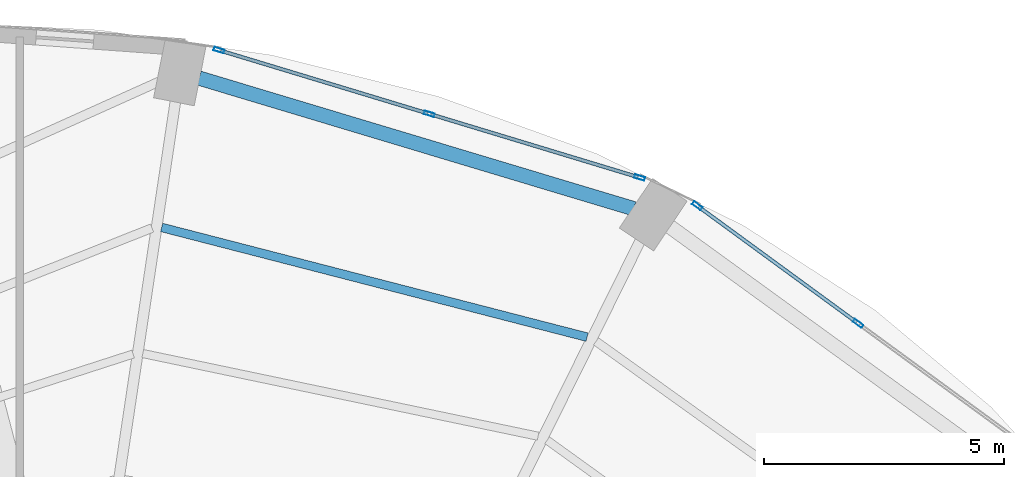
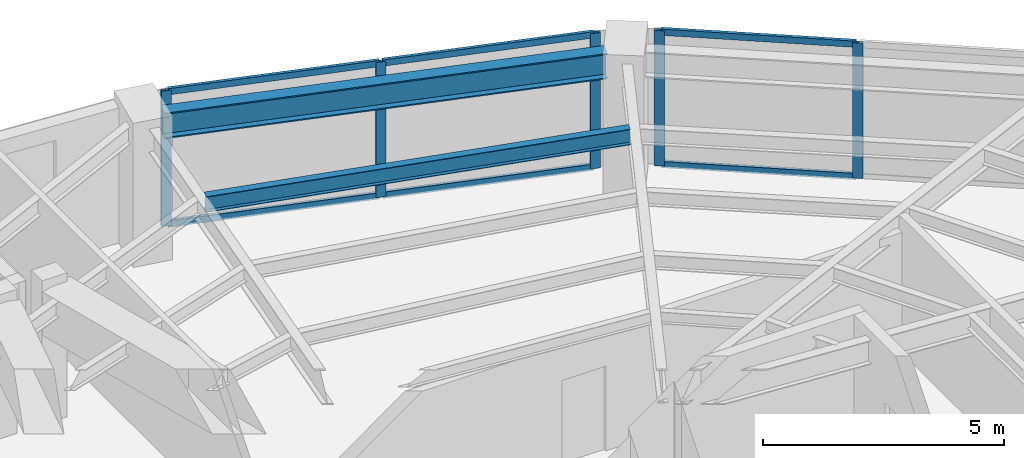
# One storey, part 17 of 24: 11 members, 2 beams, 2 elements without a shape of their own.
"""IFC4 building model written with IfcOpenShell, lengths in metres."""

import ifcopenshell
import ifcopenshell.guid

model = None  # the IFC model being written
_history = None  # IfcOwnerHistory: only IFC2X3 demands one
_inside = {}  # id of a spatial element -> (the spatial element, [elements in it])
_under = {}  # id of a project, library or spatial element -> (it, [spatial elements below it])
_declared = {}  # id of a project -> (the project, [libraries it declares])
_typed = {}  # id of a type object -> (the type object, [elements of that type])
_made_of = {}  # id of a material, layer set ... -> (it, [elements and type objects made of it])


def new_model(schema):
    """Start an empty IFC model of exactly this schema.

    Asked for "IFC4X3", IfcOpenShell would pick the latest addendum, in which some entities
    have other attributes; the version numbers below select the first issue.
    IFC2X3 requires an IfcOwnerHistory on every rooted entity: one is made here for all.
    """
    global model, _history
    if schema == "IFC4X3":
        model = ifcopenshell.file(schema_version=(4, 3, 0, 0))
    else:
        model = ifcopenshell.file(schema=schema)
    _inside.clear()
    _under.clear()
    _declared.clear()
    _typed.clear()
    _made_of.clear()
    _history = None
    if model.schema == "IFC2X3":
        org = make("IfcOrganization", Name="unknown")
        user = make(
            "IfcPersonAndOrganization",
            ThePerson=make("IfcPerson", FamilyName="unknown"),
            TheOrganization=org,
        )
        app = make(
            "IfcApplication",
            ApplicationDeveloper=org,
            Version="unknown",
            ApplicationFullName="unknown",
            ApplicationIdentifier="unknown",
        )
        _history = make(
            "IfcOwnerHistory",
            OwningUser=user,
            OwningApplication=app,
            ChangeAction="ADDED",
            CreationDate=0,
        )
    return model


def make(cls, **values):
    """One entity of the class cls with the attributes given. An attribute that is None is left unset."""
    return model.create_entity(
        cls, **{name: value for name, value in values.items() if value is not None}
    )


def rooted(cls, **values):
    """An entity with a GlobalId (a new one), such as an element, a storey or a relation."""
    return make(cls, GlobalId=ifcopenshell.guid.new(), OwnerHistory=_history, **values)


def si_unit(unit_type, name, prefix=None):
    """IfcSIUnit, for example si_unit("LENGTHUNIT", "METRE", prefix="MILLI")."""
    return make("IfcSIUnit", UnitType=unit_type, Prefix=prefix, Name=name)


def assignment(units):
    """IfcUnitAssignment: the units of a project."""
    return None if units is None else make("IfcUnitAssignment", Units=units)


def point(xyz):
    """IfcCartesianPoint."""
    return None if xyz is None else make("IfcCartesianPoint", Coordinates=xyz)


def direction(xyz):
    """IfcDirection."""
    return None if xyz is None else make("IfcDirection", DirectionRatios=xyz)


def frame(location, z_axis=None, x_axis=None):
    """IfcAxis2Placement3D, a coordinate frame: its origin and axes. An axis left out is left unset."""
    return make(
        "IfcAxis2Placement3D",
        Location=point(location),
        Axis=direction(z_axis),
        RefDirection=direction(x_axis),
    )


def frame_2d(location, x_axis=None):
    """IfcAxis2Placement2D, a coordinate frame in the plane: its origin and x axis."""
    return make(
        "IfcAxis2Placement2D", Location=point(location), RefDirection=direction(x_axis)
    )


def origin():
    """The frame at (0, 0, 0) with its axes left unset."""
    return frame((0.0, 0.0, 0.0))


def origin_2d():
    """The frame at (0, 0) in the plane with its x axis left unset."""
    return frame_2d((0.0, 0.0))


def place(relative_to, where):
    """IfcLocalPlacement: puts the frame where relative to a parent placement (None: the world)."""
    return make(
        "IfcLocalPlacement", PlacementRelTo=relative_to, RelativePlacement=where
    )


def context(
    kind, dimensions, precision=None, world=None, true_north=None, identifier=None
):
    """IfcGeometricRepresentationContext, for example the 3D "Model" context."""
    return make(
        "IfcGeometricRepresentationContext",
        ContextIdentifier=identifier,
        ContextType=kind,
        CoordinateSpaceDimension=dimensions,
        Precision=precision,
        WorldCoordinateSystem=world,
        TrueNorth=true_north,
    )


def subcontext(parent, identifier, kind, view, scale=None):
    """IfcGeometricRepresentationSubContext, for example "Body" below "Model"."""
    return make(
        "IfcGeometricRepresentationSubContext",
        ContextIdentifier=identifier,
        ContextType=kind,
        ParentContext=parent,
        TargetScale=scale,
        TargetView=view,
    )


def project(units=None, contexts=None):
    """IfcProject with its units and contexts."""
    return rooted(
        "IfcProject",
        Name="project",
        RepresentationContexts=contexts,
        UnitsInContext=assignment(units),
    )


def spatial(cls, under=None, at=None, **own):
    """A site, building, storey or space (cls), placed at a placement, below another one or the project."""
    s = rooted(cls, ObjectPlacement=at, **own)
    if under is not None:
        _under.setdefault(under.id(), (under, []))[1].append(s)
    return s


def profile(cls, at=None, kind="AREA", **sizes):
    """A parametric profile (cls). Its sizes go by their IFC names, for example OverallWidth=200.0."""
    return make(cls, ProfileType=kind, Position=at, **sizes)


def hollow_rectangle(**sizes):
    """IfcRectangleHollowProfileDef."""
    return profile("IfcRectangleHollowProfileDef", **sizes)


def i_section(**sizes):
    """IfcIShapeProfileDef."""
    return profile("IfcIShapeProfileDef", **sizes)


def extrude(swept, where, along, depth):
    """IfcExtrudedAreaSolid: the profile swept, set in the frame where, extruded along a direction by depth."""
    return make(
        "IfcExtrudedAreaSolid",
        SweptArea=swept,
        Position=where,
        ExtrudedDirection=direction(along),
        Depth=depth,
    )


def shape(context_of_items, identifier, shape_type, items):
    """IfcShapeRepresentation: the items that make up one representation, for example the "Body"."""
    return make(
        "IfcShapeRepresentation",
        ContextOfItems=context_of_items,
        RepresentationIdentifier=identifier,
        RepresentationType=shape_type,
        Items=items,
    )


def material(Name=None, Category=None):
    """IfcMaterial."""
    return make("IfcMaterial", Name=Name, Category=Category)


def layer(
    of_material, thickness, ventilated=None, Name=None, Category=None, Priority=None
):
    """IfcMaterialLayer: one layer of a wall or slab, of a material (None: an air gap)."""
    return make(
        "IfcMaterialLayer",
        Material=of_material,
        LayerThickness=thickness,
        IsVentilated=ventilated,
        Name=Name,
        Category=Category,
        Priority=Priority,
    )


def layer_set(layers, Name=None):
    """IfcMaterialLayerSet."""
    return make("IfcMaterialLayerSet", MaterialLayers=layers, LayerSetName=Name)


def material_profile(
    of_material, cross_section, Name=None, Category=None, Priority=None
):
    """IfcMaterialProfile: a cross section and its material."""
    return make(
        "IfcMaterialProfile",
        Name=Name,
        Material=of_material,
        Profile=cross_section,
        Priority=Priority,
        Category=Category,
    )


def profile_set(profiles, Name=None, composite=None):
    """IfcMaterialProfileSet."""
    return make(
        "IfcMaterialProfileSet",
        Name=Name,
        MaterialProfiles=profiles,
        CompositeProfile=composite,
    )


def made_of(thing, what):
    """Note that an element or type object is made of a material, layer set ...; save() writes the relation."""
    if what is not None:
        _made_of.setdefault(what.id(), (what, []))[1].append(thing)
    return thing


def type_object(cls, material=None, **own):
    """A type object (cls), such as IfcWallType, which elements share."""
    return made_of(rooted(cls, **own), material)


def element(
    cls,
    number,
    at=None,
    inside=None,
    cuts=None,
    type_object=None,
    material=None,
    context=None,
    identifier="Body",
    shape_type=None,
    held_by="IfcProductDefinitionShape",
    body=None,
    shapes=None,
    **own,
):
    """One element of the class cls, such as IfcWall. Its Tag is "e" and its number.

    at: its placement. inside: the storey or other place that contains it. cuts: it is an
    opening in that element (IfcRelVoidsElement). A single representation is given by context,
    identifier, shape_type and body (its items); several are given by shapes. held_by: the class
    of the entity that holds the representations. save() writes the other relations.
    """
    e = rooted(cls, Tag="e%d" % number, ObjectPlacement=at, **own)
    if body is not None:
        shapes = [shape(context, identifier, shape_type, body)]
    if shapes is not None:
        e.Representation = make(held_by, Representations=shapes)
    if inside is not None:
        _inside.setdefault(inside.id(), (inside, []))[1].append(e)
    if cuts is not None:
        rooted(
            "IfcRelVoidsElement", RelatingBuildingElement=cuts, RelatedOpeningElement=e
        )
    if type_object is not None:
        _typed.setdefault(type_object.id(), (type_object, []))[1].append(e)
    return made_of(e, material)


def aggregate(whole, parts):
    """IfcRelAggregates: a whole, such as a stair, and the parts it consists of."""
    return rooted("IfcRelAggregates", RelatingObject=whole, RelatedObjects=parts)


def save(model, path):
    """Write the relations noted so far, then the file.

    IfcRelAggregates (storeys below a building ...), IfcRelContainedInSpatialStructure (elements
    in a storey), IfcRelDefinesByType, IfcRelAssociatesMaterial and IfcRelDeclares: one each for
    every whole, place, type object, material and project.
    """
    for whole, parts in _under.values():
        aggregate(whole, parts)
    for where, things in _inside.values():
        rooted(
            "IfcRelContainedInSpatialStructure",
            RelatedElements=things,
            RelatingStructure=where,
        )
    for kind, things in _typed.values():
        rooted("IfcRelDefinesByType", RelatedObjects=things, RelatingType=kind)
    for what, things in _made_of.values():
        rooted("IfcRelAssociatesMaterial", RelatedObjects=things, RelatingMaterial=what)
    for by, libraries in _declared.values():
        rooted("IfcRelDeclares", RelatingContext=by, RelatedDefinitions=libraries)
    model.write(path)


model = new_model("IFC4")

# Units and contexts
model_context = context("Model", 3, precision=1e-05, world=origin(), true_north=direction((0.0, 1.0)))
body_context = subcontext(model_context, "Body", "Model", "MODEL_VIEW")
ifc_project = project(units=[si_unit("LENGTHUNIT", "METRE"), si_unit("AREAUNIT", "SQUARE_METRE"), si_unit("VOLUMEUNIT", "CUBIC_METRE"), si_unit("PLANEANGLEUNIT", "RADIAN"), si_unit("MASSUNIT", "GRAM", prefix="KILO")], contexts=[model_context])

# Site, building, storey
site_placement = place(None, origin())
site = spatial("IfcSite", under=ifc_project, at=site_placement, CompositionType="ELEMENT")
building_placement = place(site_placement, origin())
building = spatial("IfcBuilding", under=site, at=building_placement, Name="Lazwardi Medical Tower", CompositionType="ELEMENT")
storey_placement = place(building_placement, frame((0.0, 0.0, 65.327880859375)))
storey = spatial("IfcBuildingStorey", under=building, at=storey_placement, Name="L16", CompositionType="ELEMENT", Elevation=65.327880859375)

# Beams
ifc_material_1 = material(Name="Steel S355", Category="steel")
ifc_material_profile_1 = material_profile(ifc_material_1, i_section(OverallWidth=0.300048828125, OverallDepth=0.64990234375, WebThickness=0.01611328125, FlangeThickness=0.031005859375, at=origin_2d()), Name="HEB 650")
ifc_profile_set_1 = profile_set([ifc_material_profile_1], Name="Steel S355")
beam_type_1 = type_object("IfcBeamType", Name="BM-RB-Z1", PredefinedType="BEAM", material=ifc_profile_set_1)
beam_1_placement = place(storey_placement, frame((50.77880859375, 47.0048828125, 3.10302734375), z_axis=(-0.957695289269, 0.287784177662, 0.0), x_axis=(-0.287784177662, -0.957695289269, 0.0)))
element("IfcBeam", 1, at=beam_1_placement, inside=storey, type_object=beam_type_1, Name="Ring beam RB-02 B07 L16", PredefinedType="BEAM", context=body_context, shape_type="SweptSolid", body=[
    extrude(i_section(OverallWidth=0.300048828125, OverallDepth=0.64990234375, WebThickness=0.01611328125, FlangeThickness=0.031005859375, at=origin_2d()), origin(), (0.0, 0.0, 1.0), 9.445556640625),
])
ifc_material_profile_2 = material_profile(ifc_material_1, i_section(OverallWidth=0.179931640625, OverallDepth=0.39990234375, WebThickness=0.008544921875, FlangeThickness=0.013427734375, at=origin_2d()), Name="IPE 400")
ifc_profile_set_2 = profile_set([ifc_material_profile_2], Name="Steel S355")
beam_type_2 = type_object("IfcBeamType", Name="BM-SJ-01", PredefinedType="JOIST", material=ifc_profile_set_2)
beam_2_placement = place(storey_placement, frame((49.804931640625, 44.333251953125, 3.22802734375), z_axis=(-0.968316918308, 0.249724539682, 0.0), x_axis=(-0.249724539682, -0.968316918308, 0.0)))
element("IfcBeam", 2, at=beam_2_placement, inside=storey, type_object=beam_type_2, Name="Secondary joist SJ-01 R1 B07 L16", PredefinedType="JOIST", context=body_context, shape_type="SweptSolid", body=[
    extrude(i_section(OverallWidth=0.179931640625, OverallDepth=0.39990234375, WebThickness=0.008544921875, FlangeThickness=0.013427734375, at=origin_2d()), origin(), (0.0, 0.0, 1.0), 9.140869140625),
])

# Curtain wall, members
ifc_material_2 = material(Name="Anodised bronze aluminium and solar control glazing", Category="aluminium")
ifc_layer = layer(ifc_material_2, 0.199951171875)
ifc_layer_set = layer_set([ifc_layer], Name="Anodised bronze aluminium and solar control glazing")
curtain_wall_type = type_object("IfcCurtainWallType", Name="CW-SYS-02", PredefinedType="NOTDEFINED", material=ifc_layer_set)
curtain_wall_1_placement = place(storey_placement, origin())
curtain_wall_1 = element("IfcCurtainWall", 3, at=curtain_wall_1_placement, inside=storey, type_object=curtain_wall_type, Name="L16 Unitised bronze curtain wall CW-02", PredefinedType="NOTDEFINED")
ifc_material_3 = material(Name="Anodised bronze aluminium", Category="aluminium")
ifc_material_profile_3 = material_profile(ifc_material_3, hollow_rectangle(XDim=0.074951171875, YDim=0.219970703125, WallThickness=0.00390625, at=origin_2d()), Name="ALU-MULLION 220x75x4")
ifc_profile_set_3 = profile_set([ifc_material_profile_3], Name="Anodised bronze aluminium")
member_type_1 = type_object("IfcMemberType", Name="CW-MUL-01", PredefinedType="MULLION", material=ifc_profile_set_3)
member_1_placement = place(storey_placement, frame((55.4443359375, 44.619384765625, 0.0), z_axis=(0.0, 0.0, 1.0), x_axis=(-0.590289307341, -0.807191757663, 0.0)))
member_1 = element("IfcMember", 4, at=member_1_placement, type_object=member_type_1, Name="CW-02 mullion 2", PredefinedType="MULLION", context=body_context, shape_type="SweptSolid", body=[
    extrude(hollow_rectangle(XDim=0.074951171875, YDim=0.219970703125, WallThickness=0.00390625, at=origin_2d()), origin(), (0.0, 0.0, 1.0), 3.42822265625),
])
member_2_placement = place(storey_placement, frame((52.0986328125, 47.066162109375, 0.0), z_axis=(0.0, 0.0, 1.0), x_axis=(-0.590289307341, -0.807191757663, 0.0)))
member_2 = element("IfcMember", 5, at=member_2_placement, type_object=member_type_1, Name="CW-02 mullion 3", PredefinedType="MULLION", context=body_context, shape_type="SweptSolid", body=[
    extrude(hollow_rectangle(XDim=0.074951171875, YDim=0.219970703125, WallThickness=0.00390625, at=origin_2d()), origin(), (0.0, 0.0, 1.0), 3.42822265625),
])

curtain_wall_2_placement = place(storey_placement, origin())
curtain_wall_2 = element("IfcCurtainWall", 6, at=curtain_wall_2_placement, inside=storey, type_object=curtain_wall_type, Name="L16 Unitised bronze curtain wall CW-02", PredefinedType="NOTDEFINED")
member_3_placement = place(storey_placement, frame((50.8984375, 47.653076171875, 0.0), z_axis=(0.0, 0.0, 1.0), x_axis=(-0.2898956909, -0.957058247129, 0.0)))
member_3 = element("IfcMember", 7, at=member_3_placement, type_object=member_type_1, Name="CW-02 mullion 1", PredefinedType="MULLION", context=body_context, shape_type="SweptSolid", body=[
    extrude(hollow_rectangle(XDim=0.074951171875, YDim=0.219970703125, WallThickness=0.00390625, at=origin_2d()), origin(), (0.0, 0.0, 1.0), 3.42822265625),
])
member_4_placement = place(storey_placement, frame((46.523193359375, 48.978515625, 0.0), z_axis=(0.0, 0.0, 1.0), x_axis=(-0.2898956909, -0.957058247129, 0.0)))
member_4 = element("IfcMember", 8, at=member_4_placement, type_object=member_type_1, Name="CW-02 mullion 2", PredefinedType="MULLION", context=body_context, shape_type="SweptSolid", body=[
    extrude(hollow_rectangle(XDim=0.074951171875, YDim=0.219970703125, WallThickness=0.00390625, at=origin_2d()), origin(), (0.0, 0.0, 1.0), 3.42822265625),
])
member_5_placement = place(storey_placement, frame((42.14794921875, 50.3037109375, 0.0), z_axis=(0.0, 0.0, 1.0), x_axis=(-0.2898956909, -0.957058247129, 0.0)))
member_5 = element("IfcMember", 9, at=member_5_placement, type_object=member_type_1, Name="CW-02 mullion 3", PredefinedType="MULLION", context=body_context, shape_type="SweptSolid", body=[
    extrude(hollow_rectangle(XDim=0.074951171875, YDim=0.219970703125, WallThickness=0.00390625, at=origin_2d()), origin(), (0.0, 0.0, 1.0), 3.42822265625),
])

# Member
ifc_material_profile_4 = material_profile(ifc_material_3, hollow_rectangle(XDim=0.074951171875, YDim=0.159912109375, WallThickness=0.00390625, at=origin_2d()), Name="ALU-TRANSOM 160x75x4")
ifc_profile_set_4 = profile_set([ifc_material_profile_4], Name="Anodised bronze aluminium")
member_type_2 = type_object("IfcMemberType", Name="CW-TRN-01", PredefinedType="USERDEFINED", material=ifc_profile_set_4)
member_6_placement = place(storey_placement, frame((55.4140625, 44.641357421875, 0.03759765625), z_axis=(-0.807169053975, 0.590320352271, 0.0), x_axis=(-0.590320352271, -0.807169053975, 0.0)))
member_6 = element("IfcMember", 10, at=member_6_placement, type_object=member_type_2, Name="CW-02 transom 2.1", ObjectType="TRANSOM", PredefinedType="USERDEFINED", context=body_context, shape_type="SweptSolid", body=[
    extrude(hollow_rectangle(XDim=0.074951171875, YDim=0.159912109375, WallThickness=0.00390625, at=origin_2d()), origin(), (0.0, 0.0, 1.0), 4.070068359375),
])

member_7_placement = place(storey_placement, frame((55.4140625, 44.641357421875, 3.390625), z_axis=(-0.807169053975, 0.590320352271, 0.0), x_axis=(-0.590320352271, -0.807169053975, 0.0)))
member_7 = element("IfcMember", 11, at=member_7_placement, type_object=member_type_2, Name="CW-02 transom 2.2", ObjectType="TRANSOM", PredefinedType="USERDEFINED", context=body_context, shape_type="SweptSolid", body=[
    extrude(hollow_rectangle(XDim=0.074951171875, YDim=0.159912109375, WallThickness=0.00390625, at=origin_2d()), origin(), (0.0, 0.0, 1.0), 4.070068359375),
])

aggregate(curtain_wall_1, [member_1, member_2, member_6, member_7])

member_8_placement = place(storey_placement, frame((50.862548828125, 47.6640625, 0.03759765625), z_axis=(-0.957062297904, 0.289882317383, 0.0), x_axis=(-0.289882317383, -0.957062297904, 0.0)))
member_8 = element("IfcMember", 12, at=member_8_placement, type_object=member_type_2, Name="CW-02 transom 1.1", ObjectType="TRANSOM", PredefinedType="USERDEFINED", context=body_context, shape_type="SweptSolid", body=[
    extrude(hollow_rectangle(XDim=0.074951171875, YDim=0.159912109375, WallThickness=0.00390625, at=origin_2d()), origin(), (0.0, 0.0, 1.0), 4.49658203125),
])

member_9_placement = place(storey_placement, frame((50.862548828125, 47.6640625, 3.390625), z_axis=(-0.957062297904, 0.289882317383, 0.0), x_axis=(-0.289882317383, -0.957062297904, 0.0)))
member_9 = element("IfcMember", 13, at=member_9_placement, type_object=member_type_2, Name="CW-02 transom 1.2", ObjectType="TRANSOM", PredefinedType="USERDEFINED", context=body_context, shape_type="SweptSolid", body=[
    extrude(hollow_rectangle(XDim=0.074951171875, YDim=0.159912109375, WallThickness=0.00390625, at=origin_2d()), origin(), (0.0, 0.0, 1.0), 4.49658203125),
])

member_10_placement = place(storey_placement, frame((46.4873046875, 48.9892578125, 0.03759765625), z_axis=(-0.957047233423, 0.28993204893, 0.0), x_axis=(-0.28993204893, -0.957047233423, 0.0)))
member_10 = element("IfcMember", 14, at=member_10_placement, type_object=member_type_2, Name="CW-02 transom 2.1", ObjectType="TRANSOM", PredefinedType="USERDEFINED", context=body_context, shape_type="SweptSolid", body=[
    extrude(hollow_rectangle(XDim=0.074951171875, YDim=0.159912109375, WallThickness=0.00390625, at=origin_2d()), origin(), (0.0, 0.0, 1.0), 4.49658203125),
])

member_11_placement = place(storey_placement, frame((46.4873046875, 48.9892578125, 3.390625), z_axis=(-0.957047233423, 0.28993204893, 0.0), x_axis=(-0.28993204893, -0.957047233423, 0.0)))
member_11 = element("IfcMember", 15, at=member_11_placement, type_object=member_type_2, Name="CW-02 transom 2.2", ObjectType="TRANSOM", PredefinedType="USERDEFINED", context=body_context, shape_type="SweptSolid", body=[
    extrude(hollow_rectangle(XDim=0.074951171875, YDim=0.159912109375, WallThickness=0.00390625, at=origin_2d()), origin(), (0.0, 0.0, 1.0), 4.49658203125),
])

aggregate(curtain_wall_2, [member_3, member_4, member_5, member_8, member_9, member_10, member_11])

save(model, "model.ifc")
